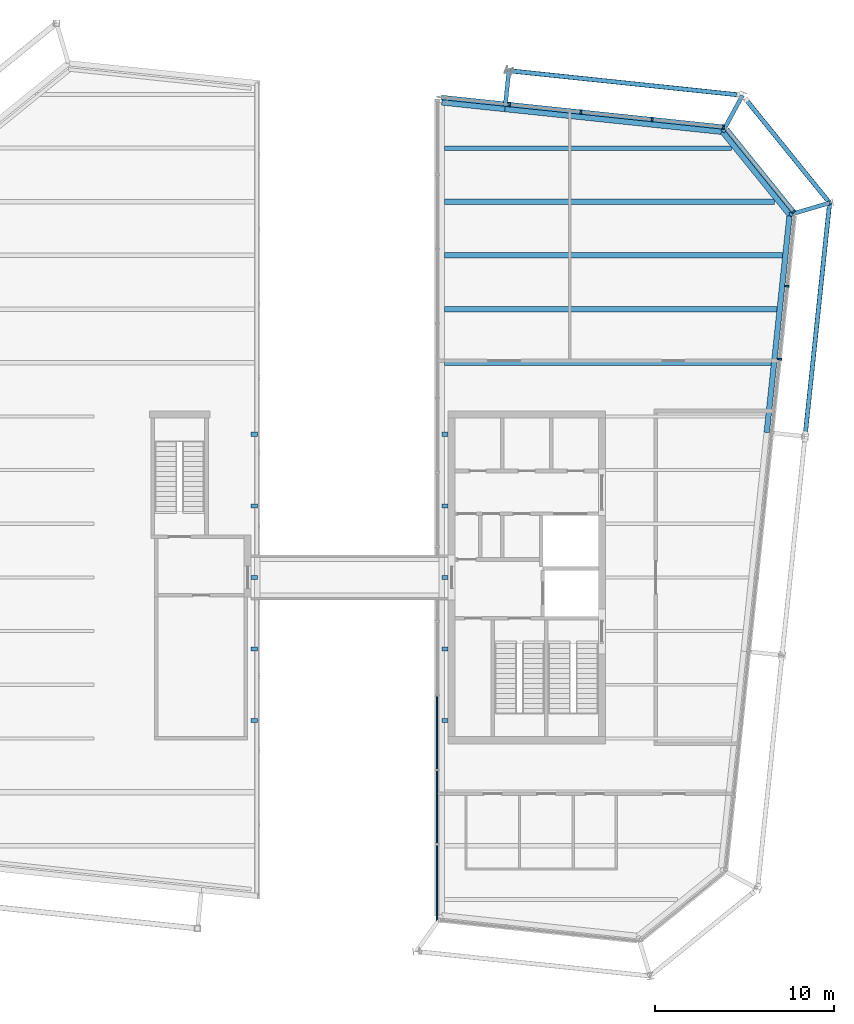
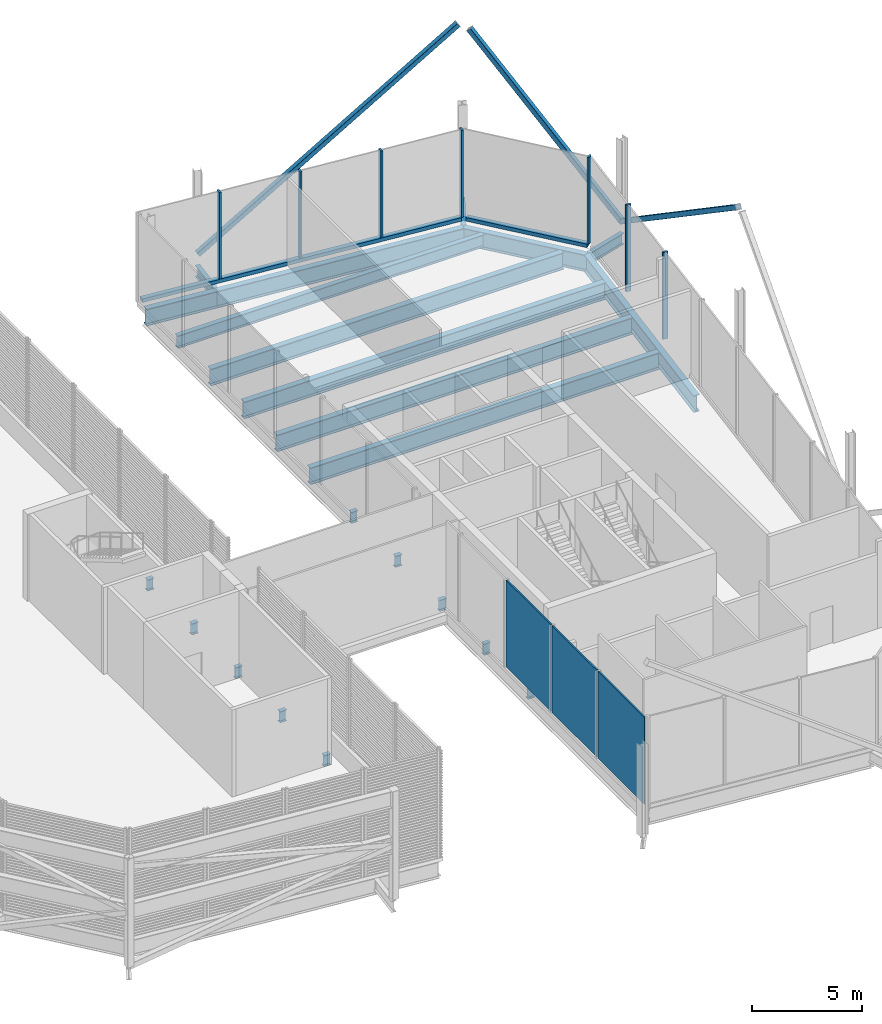
# One storey, part 8 of 15: 22 beams, 12 members, 3 plates, 4 elements without a shape of their own.
"""IFC4 building model written with IfcOpenShell, lengths in metres."""

import ifcopenshell
import ifcopenshell.guid

model = None  # the IFC model being written
_history = None  # IfcOwnerHistory: only IFC2X3 demands one
_inside = {}  # id of a spatial element -> (the spatial element, [elements in it])
_under = {}  # id of a project, library or spatial element -> (it, [spatial elements below it])
_declared = {}  # id of a project -> (the project, [libraries it declares])
_typed = {}  # id of a type object -> (the type object, [elements of that type])
_made_of = {}  # id of a material, layer set ... -> (it, [elements and type objects made of it])


def new_model(schema):
    """Start an empty IFC model of exactly this schema.

    Asked for "IFC4X3", IfcOpenShell would pick the latest addendum, in which some entities
    have other attributes; the version numbers below select the first issue.
    IFC2X3 requires an IfcOwnerHistory on every rooted entity: one is made here for all.
    """
    global model, _history
    if schema == "IFC4X3":
        model = ifcopenshell.file(schema_version=(4, 3, 0, 0))
    else:
        model = ifcopenshell.file(schema=schema)
    _inside.clear()
    _under.clear()
    _declared.clear()
    _typed.clear()
    _made_of.clear()
    _history = None
    if model.schema == "IFC2X3":
        org = make("IfcOrganization", Name="unknown")
        user = make(
            "IfcPersonAndOrganization",
            ThePerson=make("IfcPerson", FamilyName="unknown"),
            TheOrganization=org,
        )
        app = make(
            "IfcApplication",
            ApplicationDeveloper=org,
            Version="unknown",
            ApplicationFullName="unknown",
            ApplicationIdentifier="unknown",
        )
        _history = make(
            "IfcOwnerHistory",
            OwningUser=user,
            OwningApplication=app,
            ChangeAction="ADDED",
            CreationDate=0,
        )
    return model


def make(cls, **values):
    """One entity of the class cls with the attributes given. An attribute that is None is left unset."""
    return model.create_entity(
        cls, **{name: value for name, value in values.items() if value is not None}
    )


def rooted(cls, **values):
    """An entity with a GlobalId (a new one), such as an element, a storey or a relation."""
    return make(cls, GlobalId=ifcopenshell.guid.new(), OwnerHistory=_history, **values)


def si_unit(unit_type, name, prefix=None):
    """IfcSIUnit, for example si_unit("LENGTHUNIT", "METRE", prefix="MILLI")."""
    return make("IfcSIUnit", UnitType=unit_type, Prefix=prefix, Name=name)


def assignment(units):
    """IfcUnitAssignment: the units of a project."""
    return None if units is None else make("IfcUnitAssignment", Units=units)


def point(xyz):
    """IfcCartesianPoint."""
    return None if xyz is None else make("IfcCartesianPoint", Coordinates=xyz)


def direction(xyz):
    """IfcDirection."""
    return None if xyz is None else make("IfcDirection", DirectionRatios=xyz)


def frame(location, z_axis=None, x_axis=None):
    """IfcAxis2Placement3D, a coordinate frame: its origin and axes. An axis left out is left unset."""
    return make(
        "IfcAxis2Placement3D",
        Location=point(location),
        Axis=direction(z_axis),
        RefDirection=direction(x_axis),
    )


def frame_2d(location, x_axis=None):
    """IfcAxis2Placement2D, a coordinate frame in the plane: its origin and x axis."""
    return make(
        "IfcAxis2Placement2D", Location=point(location), RefDirection=direction(x_axis)
    )


def origin():
    """The frame at (0, 0, 0) with its axes left unset."""
    return frame((0.0, 0.0, 0.0))


def origin_2d():
    """The frame at (0, 0) in the plane with its x axis left unset."""
    return frame_2d((0.0, 0.0))


def place(relative_to, where):
    """IfcLocalPlacement: puts the frame where relative to a parent placement (None: the world)."""
    return make(
        "IfcLocalPlacement", PlacementRelTo=relative_to, RelativePlacement=where
    )


def context(
    kind, dimensions, precision=None, world=None, true_north=None, identifier=None
):
    """IfcGeometricRepresentationContext, for example the 3D "Model" context."""
    return make(
        "IfcGeometricRepresentationContext",
        ContextIdentifier=identifier,
        ContextType=kind,
        CoordinateSpaceDimension=dimensions,
        Precision=precision,
        WorldCoordinateSystem=world,
        TrueNorth=true_north,
    )


def subcontext(parent, identifier, kind, view, scale=None):
    """IfcGeometricRepresentationSubContext, for example "Body" below "Model"."""
    return make(
        "IfcGeometricRepresentationSubContext",
        ContextIdentifier=identifier,
        ContextType=kind,
        ParentContext=parent,
        TargetScale=scale,
        TargetView=view,
    )


def project(units=None, contexts=None):
    """IfcProject with its units and contexts."""
    return rooted(
        "IfcProject",
        Name="project",
        RepresentationContexts=contexts,
        UnitsInContext=assignment(units),
    )


def spatial(cls, under=None, at=None, **own):
    """A site, building, storey or space (cls), placed at a placement, below another one or the project."""
    s = rooted(cls, ObjectPlacement=at, **own)
    if under is not None:
        _under.setdefault(under.id(), (under, []))[1].append(s)
    return s


def polyline(points):
    """IfcPolyline through the points."""
    return make("IfcPolyline", Points=[point(p) for p in points])


def profile(cls, at=None, kind="AREA", **sizes):
    """A parametric profile (cls). Its sizes go by their IFC names, for example OverallWidth=200.0."""
    return make(cls, ProfileType=kind, Position=at, **sizes)


def rectangle(**sizes):
    """IfcRectangleProfileDef."""
    return profile("IfcRectangleProfileDef", **sizes)


def hollow_rectangle(**sizes):
    """IfcRectangleHollowProfileDef."""
    return profile("IfcRectangleHollowProfileDef", **sizes)


def i_section(**sizes):
    """IfcIShapeProfileDef."""
    return profile("IfcIShapeProfileDef", **sizes)


def outline(outer, holes=None, kind="AREA"):
    """IfcArbitraryClosedProfileDef: a profile drawn as a closed curve; with holes, ...WithVoids."""
    if holes is None:
        return make("IfcArbitraryClosedProfileDef", ProfileType=kind, OuterCurve=outer)
    return make(
        "IfcArbitraryProfileDefWithVoids",
        ProfileType=kind,
        OuterCurve=outer,
        InnerCurves=holes,
    )


def extrude(swept, where, along, depth):
    """IfcExtrudedAreaSolid: the profile swept, set in the frame where, extruded along a direction by depth."""
    return make(
        "IfcExtrudedAreaSolid",
        SweptArea=swept,
        Position=where,
        ExtrudedDirection=direction(along),
        Depth=depth,
    )


def shape(context_of_items, identifier, shape_type, items):
    """IfcShapeRepresentation: the items that make up one representation, for example the "Body"."""
    return make(
        "IfcShapeRepresentation",
        ContextOfItems=context_of_items,
        RepresentationIdentifier=identifier,
        RepresentationType=shape_type,
        Items=items,
    )


def material(Name=None, Category=None):
    """IfcMaterial."""
    return make("IfcMaterial", Name=Name, Category=Category)


def layer(
    of_material, thickness, ventilated=None, Name=None, Category=None, Priority=None
):
    """IfcMaterialLayer: one layer of a wall or slab, of a material (None: an air gap)."""
    return make(
        "IfcMaterialLayer",
        Material=of_material,
        LayerThickness=thickness,
        IsVentilated=ventilated,
        Name=Name,
        Category=Category,
        Priority=Priority,
    )


def layer_set(layers, Name=None):
    """IfcMaterialLayerSet."""
    return make("IfcMaterialLayerSet", MaterialLayers=layers, LayerSetName=Name)


def material_profile(
    of_material, cross_section, Name=None, Category=None, Priority=None
):
    """IfcMaterialProfile: a cross section and its material."""
    return make(
        "IfcMaterialProfile",
        Name=Name,
        Material=of_material,
        Profile=cross_section,
        Priority=Priority,
        Category=Category,
    )


def profile_set(profiles, Name=None, composite=None):
    """IfcMaterialProfileSet."""
    return make(
        "IfcMaterialProfileSet",
        Name=Name,
        MaterialProfiles=profiles,
        CompositeProfile=composite,
    )


def made_of(thing, what):
    """Note that an element or type object is made of a material, layer set ...; save() writes the relation."""
    if what is not None:
        _made_of.setdefault(what.id(), (what, []))[1].append(thing)
    return thing


def type_object(cls, material=None, **own):
    """A type object (cls), such as IfcWallType, which elements share."""
    return made_of(rooted(cls, **own), material)


def element(
    cls,
    number,
    at=None,
    inside=None,
    cuts=None,
    type_object=None,
    material=None,
    context=None,
    identifier="Body",
    shape_type=None,
    held_by="IfcProductDefinitionShape",
    body=None,
    shapes=None,
    **own,
):
    """One element of the class cls, such as IfcWall. Its Tag is "e" and its number.

    at: its placement. inside: the storey or other place that contains it. cuts: it is an
    opening in that element (IfcRelVoidsElement). A single representation is given by context,
    identifier, shape_type and body (its items); several are given by shapes. held_by: the class
    of the entity that holds the representations. save() writes the other relations.
    """
    e = rooted(cls, Tag="e%d" % number, ObjectPlacement=at, **own)
    if body is not None:
        shapes = [shape(context, identifier, shape_type, body)]
    if shapes is not None:
        e.Representation = make(held_by, Representations=shapes)
    if inside is not None:
        _inside.setdefault(inside.id(), (inside, []))[1].append(e)
    if cuts is not None:
        rooted(
            "IfcRelVoidsElement", RelatingBuildingElement=cuts, RelatedOpeningElement=e
        )
    if type_object is not None:
        _typed.setdefault(type_object.id(), (type_object, []))[1].append(e)
    return made_of(e, material)


def aggregate(whole, parts):
    """IfcRelAggregates: a whole, such as a stair, and the parts it consists of."""
    return rooted("IfcRelAggregates", RelatingObject=whole, RelatedObjects=parts)


def save(model, path):
    """Write the relations noted so far, then the file.

    IfcRelAggregates (storeys below a building ...), IfcRelContainedInSpatialStructure (elements
    in a storey), IfcRelDefinesByType, IfcRelAssociatesMaterial and IfcRelDeclares: one each for
    every whole, place, type object, material and project.
    """
    for whole, parts in _under.values():
        aggregate(whole, parts)
    for where, things in _inside.values():
        rooted(
            "IfcRelContainedInSpatialStructure",
            RelatedElements=things,
            RelatingStructure=where,
        )
    for kind, things in _typed.values():
        rooted("IfcRelDefinesByType", RelatedObjects=things, RelatingType=kind)
    for what, things in _made_of.values():
        rooted("IfcRelAssociatesMaterial", RelatedObjects=things, RelatingMaterial=what)
    for by, libraries in _declared.values():
        rooted("IfcRelDeclares", RelatingContext=by, RelatedDefinitions=libraries)
    model.write(path)


model = new_model("IFC4")

# Units and contexts
model_context = context("Model", 3, precision=1e-05, world=origin(), true_north=direction((0.0, 1.0)))
body_context = subcontext(model_context, "Body", "Model", "MODEL_VIEW")
ifc_project = project(units=[si_unit("LENGTHUNIT", "METRE"), si_unit("AREAUNIT", "SQUARE_METRE"), si_unit("VOLUMEUNIT", "CUBIC_METRE"), si_unit("PLANEANGLEUNIT", "RADIAN"), si_unit("MASSUNIT", "GRAM", prefix="KILO")], contexts=[model_context])

# Site, building, storey
site_placement = place(None, origin())
site = spatial("IfcSite", under=ifc_project, at=site_placement, CompositionType="ELEMENT")
building_placement = place(site_placement, origin())
building = spatial("IfcBuilding", under=site, at=building_placement, Name="Millrace Tower", CompositionType="ELEMENT")
storey_placement = place(building_placement, frame((0.0, 0.0, 352.10009765625)))
storey = spatial("IfcBuildingStorey", under=building, at=storey_placement, Name="L81", CompositionType="ELEMENT", Elevation=352.10009765625)

# Curtain wall, members
ifc_material_1 = material(Name="Aluminium and glass", Category="aluminium")
ifc_layer_1 = layer(ifc_material_1, 0.25)
ifc_layer_set_1 = layer_set([ifc_layer_1], Name="Aluminium and glass")
curtain_wall_type = type_object("IfcCurtainWallType", Name="CW-7 crown louvred enclosure", PredefinedType="NOTDEFINED", material=ifc_layer_set_1)
placement_1 = place(storey_placement, origin())
curtain_wall_1 = element("IfcCurtainWall", 1, at=placement_1, inside=storey, type_object=curtain_wall_type, Name="Curtain wall CE-F04 L81", PredefinedType="NOTDEFINED")
ifc_material_2 = material(Name="Aluminium", Category="aluminium")
ifc_material_profile_1 = material_profile(ifc_material_2, rectangle(XDim=0.10009765625, YDim=0.25, at=origin_2d()))
ifc_profile_set_1 = profile_set([ifc_material_profile_1], Name="Aluminium")
member_type_1 = type_object("IfcMemberType", Name="CW-7 crown louvred enclosure mullion", PredefinedType="MULLION", material=ifc_profile_set_1)
member_1_placement = place(storey_placement, frame((24.0263671875, 12.202392578125, 0.199951171875), z_axis=(0.0, 0.0, 1.0), x_axis=(0.104528455196, 0.994521896217, 0.0)))
member_1 = element("IfcMember", 2, at=member_1_placement, type_object=member_type_1, Name="CW7 mullion CE-F04.8", PredefinedType="MULLION", context=body_context, shape_type="SweptSolid", body=[
    extrude(rectangle(XDim=0.10009765625, YDim=0.25, at=origin_2d()), origin(), (0.0, 0.0, 1.0), 4.800048828125),
])
member_2_placement = place(storey_placement, frame((24.454833984375, 16.280029296875, 0.199951171875), z_axis=(0.0, 0.0, 1.0), x_axis=(0.104528455196, 0.994521896217, 0.0)))
member_2 = element("IfcMember", 3, at=member_2_placement, type_object=member_type_1, Name="CW7 mullion CE-F04.9", PredefinedType="MULLION", context=body_context, shape_type="SweptSolid", body=[
    extrude(rectangle(XDim=0.10009765625, YDim=0.25, at=origin_2d()), origin(), (0.0, 0.0, 1.0), 4.800048828125),
])
aggregate(curtain_wall_1, [member_1, member_2])

# Curtain wall, member
curtain_wall_2 = element("IfcCurtainWall", 4, at=placement_1, inside=storey, type_object=curtain_wall_type, Name="Curtain wall CE-F05 L81", PredefinedType="NOTDEFINED")
member_3_placement = place(storey_placement, frame((24.819580078125, 20.4384765625, 0.199951171875), z_axis=(0.0, 0.0, 1.0), x_axis=(-0.629320278945, 0.777146052237, 0.0)))
member_3 = element("IfcMember", 5, at=member_3_placement, type_object=member_type_1, Name="CW7 mullion CE-F05.1", PredefinedType="MULLION", context=body_context, shape_type="SweptSolid", body=[
    extrude(rectangle(XDim=0.10009765625, YDim=0.25, at=origin_2d()), origin(), (0.0, 0.0, 1.0), 4.800048828125),
])

# Curtain wall, members
curtain_wall_3 = element("IfcCurtainWall", 6, at=placement_1, inside=storey, type_object=curtain_wall_type, Name="Curtain wall CE-F06 L81", PredefinedType="NOTDEFINED")
member_4_placement = place(storey_placement, frame((20.890380859375, 25.17626953125, 0.199951171875), z_axis=(0.0, 0.0, 1.0), x_axis=(-0.994521896083, 0.104528456463, 0.0)))
member_4 = element("IfcMember", 7, at=member_4_placement, type_object=member_type_1, Name="CW7 mullion CE-F06.1", PredefinedType="MULLION", context=body_context, shape_type="SweptSolid", body=[
    extrude(rectangle(XDim=0.10009765625, YDim=0.25, at=origin_2d()), origin(), (0.0, 0.0, 1.0), 4.800048828125),
])
member_5_placement = place(storey_placement, frame((16.908447265625, 25.594970703125, 0.199951171875), z_axis=(0.0, 0.0, 1.0), x_axis=(-0.994521896083, 0.104528456463, 0.0)))
member_5 = element("IfcMember", 8, at=member_5_placement, type_object=member_type_1, Name="CW7 mullion CE-F06.2", PredefinedType="MULLION", context=body_context, shape_type="SweptSolid", body=[
    extrude(rectangle(XDim=0.10009765625, YDim=0.25, at=origin_2d()), origin(), (0.0, 0.0, 1.0), 4.800048828125),
])
member_6_placement = place(storey_placement, frame((12.9267578125, 26.013427734375, 0.199951171875), z_axis=(0.0, 0.0, 1.0), x_axis=(-0.994521896083, 0.104528456463, 0.0)))
member_6 = element("IfcMember", 9, at=member_6_placement, type_object=member_type_1, Name="CW7 mullion CE-F06.3", PredefinedType="MULLION", context=body_context, shape_type="SweptSolid", body=[
    extrude(rectangle(XDim=0.10009765625, YDim=0.25, at=origin_2d()), origin(), (0.0, 0.0, 1.0), 4.800048828125),
])
member_7_placement = place(storey_placement, frame((8.945068359375, 26.431884765625, 0.199951171875), z_axis=(0.0, 0.0, 1.0), x_axis=(-0.994521896083, 0.104528456463, 0.0)))
member_7 = element("IfcMember", 10, at=member_7_placement, type_object=member_type_1, Name="CW7 mullion CE-F06.4", PredefinedType="MULLION", context=body_context, shape_type="SweptSolid", body=[
    extrude(rectangle(XDim=0.10009765625, YDim=0.25, at=origin_2d()), origin(), (0.0, 0.0, 1.0), 4.800048828125),
])

# Member
ifc_material_3 = material(Name="Aluminium", Category="aluminium")
ifc_material_profile_2 = material_profile(ifc_material_3, rectangle(XDim=0.25, YDim=0.199951171875, at=origin_2d()))
ifc_profile_set_2 = profile_set([ifc_material_profile_2], Name="Aluminium")
member_type_2 = type_object("IfcMemberType", Name="CW-7 crown louvred enclosure transom", PredefinedType="USERDEFINED", material=ifc_profile_set_2)
member_8_placement = place(storey_placement, frame((24.7880859375, 20.477294921875, 0.099853515625), z_axis=(-0.629321221277, 0.777145289151, 0.0), x_axis=(-0.777145289151, -0.629321221277, 0.0)))
member_8 = element("IfcMember", 11, at=member_8_placement, type_object=member_type_2, Name="CW7 transom CE-F05.1", ObjectType="TRANSOM", PredefinedType="USERDEFINED", context=body_context, shape_type="SweptSolid", body=[
    extrude(rectangle(XDim=0.25, YDim=0.199951171875, at=origin_2d()), origin(), (0.0, 0.0, 1.0), 5.881103515625),
])

aggregate(curtain_wall_2, [member_3, member_8])

member_9_placement = place(storey_placement, frame((20.840576171875, 25.181640625, 0.099853515625), z_axis=(-0.99452193556, 0.104528080868, 0.0), x_axis=(-0.104528080868, -0.99452193556, 0.0)))
member_9 = element("IfcMember", 12, at=member_9_placement, type_object=member_type_2, Name="CW7 transom CE-F06.1", ObjectType="TRANSOM", PredefinedType="USERDEFINED", context=body_context, shape_type="SweptSolid", body=[
    extrude(rectangle(XDim=0.25, YDim=0.199951171875, at=origin_2d()), origin(), (0.0, 0.0, 1.0), 15.814697265625),
])

aggregate(curtain_wall_3, [member_4, member_5, member_6, member_7, member_9])

# Members
ifc_material_4 = material(Name="Steel ASTM A500 Grade C", Category="steel")
ifc_material_profile_3 = material_profile(ifc_material_4, hollow_rectangle(XDim=0.25390625, YDim=0.25390625, WallThickness=0.009521484375, InnerFilletRadius=0.004638671875, OuterFilletRadius=0.014404296875, at=origin_2d()))
ifc_profile_set_3 = profile_set([ifc_material_profile_3], Name="Steel ASTM A500 Grade C")
member_type_3 = type_object("IfcMemberType", Name="Exoskeleton brace HSS10x10x3/8", PredefinedType="BRACE", material=ifc_profile_set_3)
member_10_placement = place(storey_placement, frame((26.82958984375, 20.935791015625, 0.39990234375), z_axis=(-0.085606756306, -0.814448651689, 0.573885770025), x_axis=(0.994521291928, -0.104534204461, 0.0)))
element("IfcMember", 13, at=member_10_placement, inside=storey, type_object=member_type_3, Name="BRC-CROWN-L81-05", PredefinedType="BRACE", context=body_context, shape_type="SweptSolid", body=[
    extrude(hollow_rectangle(XDim=0.25390625, YDim=0.25390625, WallThickness=0.009521484375, InnerFilletRadius=0.004638671875, OuterFilletRadius=0.014404296875, at=origin_2d()), origin(), (0.0, 0.0, 1.0), 15.76806640625),
])
member_11_placement = place(storey_placement, frame((26.82958984375, 20.935791015625, 0.39990234375), z_axis=(-0.405077972865, 0.500222959096, 0.765303094919), x_axis=(-0.777141852671, -0.629325464944, 0.0)))
element("IfcMember", 14, at=member_11_placement, inside=storey, type_object=member_type_3, Name="BRC-CROWN-L81-06", PredefinedType="BRACE", context=body_context, shape_type="SweptSolid", body=[
    extrude(hollow_rectangle(XDim=0.25390625, YDim=0.25390625, WallThickness=0.009521484375, InnerFilletRadius=0.004638671875, OuterFilletRadius=0.014404296875, at=origin_2d()), origin(), (0.0, 0.0, 1.0), 11.490478515625),
])
member_12_placement = place(storey_placement, frame((8.9033203125, 28.321533203125, 0.39990234375), z_axis=(0.814452687378, -0.085602902461, 0.573880617474), x_axis=(0.104529037666, 0.994521834996, 0.0)))
element("IfcMember", 15, at=member_12_placement, inside=storey, type_object=member_type_3, Name="BRC-CROWN-L81-07", PredefinedType="BRACE", context=body_context, shape_type="SweptSolid", body=[
    extrude(hollow_rectangle(XDim=0.25390625, YDim=0.25390625, WallThickness=0.009521484375, InnerFilletRadius=0.004638671875, OuterFilletRadius=0.014404296875, at=origin_2d()), origin(), (0.0, 0.0, 1.0), 15.7431640625),
])

# Beams
ifc_material_5 = material(Name="Steel ASTM A992 Grade 50", Category="steel")
ifc_material_profile_4 = material_profile(ifc_material_5, i_section(OverallWidth=0.256591796875, OverallDepth=0.693359375, WebThickness=0.014404296875, FlangeThickness=0.023681640625, FilletRadius=0.01513671875, at=origin_2d()))
ifc_profile_set_4 = profile_set([ifc_material_profile_4], Name="Steel ASTM A992 Grade 50")
beam_type_1 = type_object("IfcBeamType", Name="Floor beam W27x114", PredefinedType="JOIST", material=ifc_profile_set_4)
beam_1_placement = place(storey_placement, frame((5.307373046875, 24.0, -0.546875), z_axis=(1.0, 0.0, 0.0), x_axis=(0.0, 1.0, 0.0)))
element("IfcBeam", 16, at=beam_1_placement, inside=storey, type_object=beam_type_1, Name="BM-CROWN-L81-SE-S015", PredefinedType="JOIST", context=body_context, shape_type="SweptSolid", body=[
    extrude(i_section(OverallWidth=0.256591796875, OverallDepth=0.693359375, WebThickness=0.014404296875, FlangeThickness=0.023681640625, FilletRadius=0.01513671875, at=origin_2d()), origin(), (0.0, 0.0, 1.0), 16.02392578125),
])
ifc_material_6 = material(Name="Steel ASTM A992 Grade 50", Category="steel")
ifc_material_profile_5 = material_profile(ifc_material_6, i_section(OverallWidth=0.307373046875, OverallDepth=0.927001953125, WebThickness=0.01953125, FlangeThickness=0.031982421875, FilletRadius=0.01904296875, at=origin_2d()))
ifc_profile_set_5 = profile_set([ifc_material_profile_5], Name="Steel ASTM A992 Grade 50")
beam_type_2 = type_object("IfcBeamType", Name="Floor beam W36x194", PredefinedType="JOIST", material=ifc_profile_set_5)
beam_2_placement = place(storey_placement, frame((5.307373046875, 12.0, -0.66357421875), z_axis=(1.0, 0.0, 0.0), x_axis=(0.0, 1.0, 0.0)))
element("IfcBeam", 17, at=beam_2_placement, inside=storey, type_object=beam_type_2, Name="BM-CROWN-L81-SE-S011", PredefinedType="JOIST", context=body_context, shape_type="SweptSolid", body=[
    extrude(i_section(OverallWidth=0.307373046875, OverallDepth=0.927001953125, WebThickness=0.01953125, FlangeThickness=0.031982421875, FilletRadius=0.01904296875, at=origin_2d()), origin(), (0.0, 0.0, 1.0), 18.262939453125),
])
beam_3_placement = place(storey_placement, frame((5.307373046875, 15.0, -0.66357421875), z_axis=(1.0, 0.0, 0.0), x_axis=(0.0, 1.0, 0.0)))
element("IfcBeam", 18, at=beam_3_placement, inside=storey, type_object=beam_type_2, Name="BM-CROWN-L81-SE-S012", PredefinedType="JOIST", context=body_context, shape_type="SweptSolid", body=[
    extrude(i_section(OverallWidth=0.307373046875, OverallDepth=0.927001953125, WebThickness=0.01953125, FlangeThickness=0.031982421875, FilletRadius=0.01904296875, at=origin_2d()), origin(), (0.0, 0.0, 1.0), 18.578369140625),
])
beam_4_placement = place(storey_placement, frame((5.307373046875, 18.0, -0.66357421875), z_axis=(1.0, 0.0, 0.0), x_axis=(0.0, 1.0, 0.0)))
element("IfcBeam", 19, at=beam_4_placement, inside=storey, type_object=beam_type_2, Name="BM-CROWN-L81-SE-S013", PredefinedType="JOIST", context=body_context, shape_type="SweptSolid", body=[
    extrude(i_section(OverallWidth=0.307373046875, OverallDepth=0.927001953125, WebThickness=0.01953125, FlangeThickness=0.031982421875, FilletRadius=0.01904296875, at=origin_2d()), origin(), (0.0, 0.0, 1.0), 18.8935546875),
])
beam_5_placement = place(storey_placement, frame((5.307373046875, 21.0, -0.66357421875), z_axis=(1.0, 0.0, 0.0), x_axis=(0.0, 1.0, 0.0)))
element("IfcBeam", 20, at=beam_5_placement, inside=storey, type_object=beam_type_2, Name="BM-CROWN-L81-SE-S014", PredefinedType="JOIST", context=body_context, shape_type="SweptSolid", body=[
    extrude(i_section(OverallWidth=0.307373046875, OverallDepth=0.927001953125, WebThickness=0.01953125, FlangeThickness=0.031982421875, FilletRadius=0.01904296875, at=origin_2d()), origin(), (0.0, 0.0, 1.0), 18.43310546875),
])
ifc_material_7 = material(Name="Steel ASTM A992 Grade 50", Category="steel")
ifc_material_profile_6 = material_profile(ifc_material_7, i_section(OverallWidth=0.23046875, OverallDepth=0.6171875, WebThickness=0.01318359375, FlangeThickness=0.022216796875, FilletRadius=0.012939453125, at=origin_2d()))
ifc_profile_set_6 = profile_set([ifc_material_profile_6], Name="Steel ASTM A992 Grade 50")
beam_type_3 = type_object("IfcBeamType", Name="Link beam W24x94", PredefinedType="BEAM", material=ifc_profile_set_6)
beam_6_placement = place(storey_placement, frame((8.6943359375, 26.33251953125, -0.5087890625), z_axis=(0.104494148666, 0.99452550138, 0.0), x_axis=(-0.99452550138, 0.104494148666, 0.0)))
element("IfcBeam", 21, at=beam_6_placement, inside=storey, type_object=beam_type_3, Name="LNK-CROWN-L81-SE-01", PredefinedType="BEAM", context=body_context, shape_type="SweptSolid", body=[
    extrude(i_section(OverallWidth=0.23046875, OverallDepth=0.6171875, WebThickness=0.01318359375, FlangeThickness=0.022216796875, FilletRadius=0.012939453125, at=origin_2d()), origin(), (0.0, 0.0, 1.0), 2.0),
])
for number, where, z_axis, x_axis, name in (
    (22, (20.84765625, 24.900634765625, -0.5087890625), (0.477163510307, 0.87881453358, 0.0), (-0.87881453358, 0.477163510307, 0.0), "LNK-CROWN-L81-SE-02"),
    (23, (24.594482421875, 20.273681640625, -0.5087890625), (0.958815015936, 0.284031275065, 0.0), (-0.284031275065, 0.958815015936, 0.0), "LNK-CROWN-L81-SE-03"),
):
    element("IfcBeam", number, at=place(storey_placement, frame(where, z_axis=z_axis, x_axis=x_axis)), inside=storey, type_object=beam_type_3, Name=name, PredefinedType="BEAM", context=body_context, shape_type="SweptSolid", body=[
        extrude(i_section(OverallWidth=0.23046875, OverallDepth=0.6171875, WebThickness=0.01318359375, FlangeThickness=0.022216796875, FilletRadius=0.012939453125, at=origin_2d()), origin(), (0.0, 0.0, 1.0), 2.3310546875),
    ])
ifc_material_8 = material(Name="Steel ASTM A992 Grade 50", Category="steel")
ifc_material_profile_7 = material_profile(ifc_material_8, i_section(OverallWidth=0.307373046875, OverallDepth=0.927001953125, WebThickness=0.01953125, FlangeThickness=0.031982421875, FilletRadius=0.01904296875, at=origin_2d()))
ifc_profile_set_7 = profile_set([ifc_material_profile_7], Name="Steel ASTM A992 Grade 50")
beam_type_4 = type_object("IfcBeamType", Name="Ring beam medium span W36x194", PredefinedType="SPANDREL", material=ifc_profile_set_7)
for number, where, z_axis, x_axis, name in (
    (24, (8.67822265625, 26.1796875, -0.66357421875), (0.994521948696, -0.104527955888, 0.0), (0.104527955888, 0.994521948696, 0.0), "RNG-CROWN-L81-SE-01"),
    (25, (24.594482421875, 20.273681640625, -0.66357421875), (-0.104527955888, -0.994521948696, 0.0), (0.994521948696, -0.104527955888, 0.0), "RNG-CROWN-L81-SE-03"),
):
    element("IfcBeam", number, at=place(storey_placement, frame(where, z_axis=z_axis, x_axis=x_axis)), inside=storey, type_object=beam_type_4, Name=name, PredefinedType="SPANDREL", context=body_context, shape_type="SweptSolid", body=[
        extrude(i_section(OverallWidth=0.307373046875, OverallDepth=0.927001953125, WebThickness=0.01953125, FlangeThickness=0.031982421875, FilletRadius=0.01904296875, at=origin_2d()), origin(), (0.0, 0.0, 1.0), 12.236572265625),
    ])
ifc_material_9 = material(Name="Steel ASTM A992 Grade 50", Category="steel")
ifc_material_profile_8 = material_profile(ifc_material_9, i_section(OverallWidth=0.307373046875, OverallDepth=0.927001953125, WebThickness=0.01953125, FlangeThickness=0.031982421875, FilletRadius=0.01904296875, at=origin_2d()))
ifc_profile_set_8 = profile_set([ifc_material_profile_8], Name="Steel ASTM A992 Grade 50")
beam_type_5 = type_object("IfcBeamType", Name="Ring beam short span W36x194", PredefinedType="SPANDREL", material=ifc_profile_set_8)
beam_7_placement = place(storey_placement, frame((20.84765625, 24.900634765625, -0.66357421875), z_axis=(0.629319722443, -0.777146502883, 0.0), x_axis=(0.777146502883, 0.629319722443, 0.0)))
element("IfcBeam", 26, at=beam_7_placement, inside=storey, type_object=beam_type_5, Name="RNG-CROWN-L81-SE-02", PredefinedType="SPANDREL", context=body_context, shape_type="SweptSolid", body=[
    extrude(i_section(OverallWidth=0.307373046875, OverallDepth=0.927001953125, WebThickness=0.01953125, FlangeThickness=0.031982421875, FilletRadius=0.01904296875, at=origin_2d()), origin(), (0.0, 0.0, 1.0), 5.953857421875),
])
beam_8_placement = place(storey_placement, frame((5.153564453125, 26.550048828125, -0.66357421875), z_axis=(0.994524686779, -0.104501901354, 0.0), x_axis=(0.104501901354, 0.994524686779, 0.0)))
element("IfcBeam", 27, at=beam_8_placement, inside=storey, type_object=beam_type_5, Name="RNG-CROWN-L81-SE-09", PredefinedType="SPANDREL", context=body_context, shape_type="SweptSolid", body=[
    extrude(i_section(OverallWidth=0.307373046875, OverallDepth=0.927001953125, WebThickness=0.01953125, FlangeThickness=0.031982421875, FilletRadius=0.01904296875, at=origin_2d()), origin(), (0.0, 0.0, 1.0), 3.5439453125),
])
ifc_material_10 = material(Name="Steel ASTM A992 Grade 50", Category="steel")
ifc_material_profile_9 = material_profile(ifc_material_10, i_section(OverallWidth=0.23046875, OverallDepth=0.6171875, WebThickness=0.01318359375, FlangeThickness=0.022216796875, FilletRadius=0.012939453125, at=origin_2d()))
ifc_profile_set_9 = profile_set([ifc_material_profile_9], Name="Steel ASTM A992 Grade 50")
beam_type_6 = type_object("IfcBeamType", Name="Tie beam W24x94", PredefinedType="BEAM", material=ifc_profile_set_9)
for number, where, z_axis, x_axis, name in (
    (28, (-5.153564453125, -8.0, -0.5087890625), (-1.0, 0.0, 0.0), (0.0, -1.0, 0.0), "LNK-CROWN-L81-SW-T01"),
    (29, (-5.153564453125, -4.0, -0.5087890625), (-1.0, 0.0, 0.0), (0.0, -1.0, 0.0), "LNK-CROWN-L81-SW-T02"),
    (30, (-5.153564453125, 0.0, -0.5087890625), (-1.0, 0.0, 0.0), (0.0, -1.0, 0.0), "LNK-CROWN-L81-SW-T03"),
    (31, (-5.153564453125, 4.0, -0.5087890625), (-1.0, 0.0, 0.0), (0.0, -1.0, 0.0), "LNK-CROWN-L81-SW-T04"),
    (32, (-5.153564453125, 8.0, -0.5087890625), (-1.0, 0.0, 0.0), (0.0, -1.0, 0.0), "LNK-CROWN-L81-SW-T05"),
    (33, (5.153564453125, -8.0, -0.5087890625), (1.0, 0.0, 0.0), (0.0, 1.0, 0.0), "LNK-CROWN-L81-SE-T01"),
    (34, (5.153564453125, -4.0, -0.5087890625), (1.0, 0.0, 0.0), (0.0, 1.0, 0.0), "LNK-CROWN-L81-SE-T02"),
    (35, (5.153564453125, 0.0, -0.5087890625), (1.0, 0.0, 0.0), (0.0, 1.0, 0.0), "LNK-CROWN-L81-SE-T03"),
    (36, (5.153564453125, 4.0, -0.5087890625), (1.0, 0.0, 0.0), (0.0, 1.0, 0.0), "LNK-CROWN-L81-SE-T04"),
    (37, (5.153564453125, 8.0, -0.5087890625), (1.0, 0.0, 0.0), (0.0, 1.0, 0.0), "LNK-CROWN-L81-SE-T05"),
):
    element("IfcBeam", number, at=place(storey_placement, frame(where, z_axis=z_axis, x_axis=x_axis)), inside=storey, type_object=beam_type_6, Name=name, PredefinedType="BEAM", context=body_context, shape_type="SweptSolid", body=[
        extrude(i_section(OverallWidth=0.23046875, OverallDepth=0.6171875, WebThickness=0.01318359375, FlangeThickness=0.022216796875, FilletRadius=0.012939453125, at=origin_2d()), origin(), (0.0, 0.0, 1.0), 0.346435546875),
    ])

# Curtain wall, plates
curtain_wall_4 = element("IfcCurtainWall", 38, at=placement_1, inside=storey, type_object=curtain_wall_type, Name="Curtain wall CE-F01 L81", PredefinedType="NOTDEFINED")
ifc_material_11 = material(Name="Glass", Category="glass")
ifc_layer_2 = layer(ifc_material_11, 0.080078125)
ifc_layer_set_2 = layer_set([ifc_layer_2], Name="Glass")
plate_type = type_object("IfcPlateType", Name="CW-7 crown louvred enclosure fixed louvre panel", PredefinedType="CURTAIN_PANEL", material=ifc_layer_set_2)
placement_2 = place(storey_placement, frame((0.0, 0.0, 0.199951171875)))
plate_1 = element("IfcPlate", 39, at=placement_2, type_object=plate_type, Name="CW7 panel CE-F01.9", PredefinedType="CURTAIN_PANEL", context=body_context, shape_type="SweptSolid", body=[
    extrude(outline(polyline([(4.8349609375, -6.65234375), (4.8349609375, -10.71142578125), (4.9150390625, -10.71142578125), (4.9150390625, -6.65234375), (4.8349609375, -6.65234375)])), origin(), (0.0, 0.0, 1.0), 4.800048828125),
])
plate_2 = element("IfcPlate", 40, at=placement_2, type_object=plate_type, Name="CW7 panel CE-F01.10", PredefinedType="CURTAIN_PANEL", context=body_context, shape_type="SweptSolid", body=[
    extrude(outline(polyline([(4.8349609375, -10.8115234375), (4.8349609375, -14.87060546875), (4.9150390625, -14.87060546875), (4.9150390625, -10.8115234375), (4.8349609375, -10.8115234375)])), origin(), (0.0, 0.0, 1.0), 4.800048828125),
])
plate_3 = element("IfcPlate", 41, at=placement_2, type_object=plate_type, Name="CW7 panel CE-F01.11", PredefinedType="CURTAIN_PANEL", context=body_context, shape_type="SweptSolid", body=[
    extrude(outline(polyline([(4.8349609375, -14.970703125), (4.8349609375, -19.178466796875), (4.9150390625, -19.1064453125), (4.9150390625, -14.970703125), (4.8349609375, -14.970703125)])), origin(), (0.0, 0.0, 1.0), 4.800048828125),
])
aggregate(curtain_wall_4, [plate_1, plate_2, plate_3])

save(model, "model.ifc")
